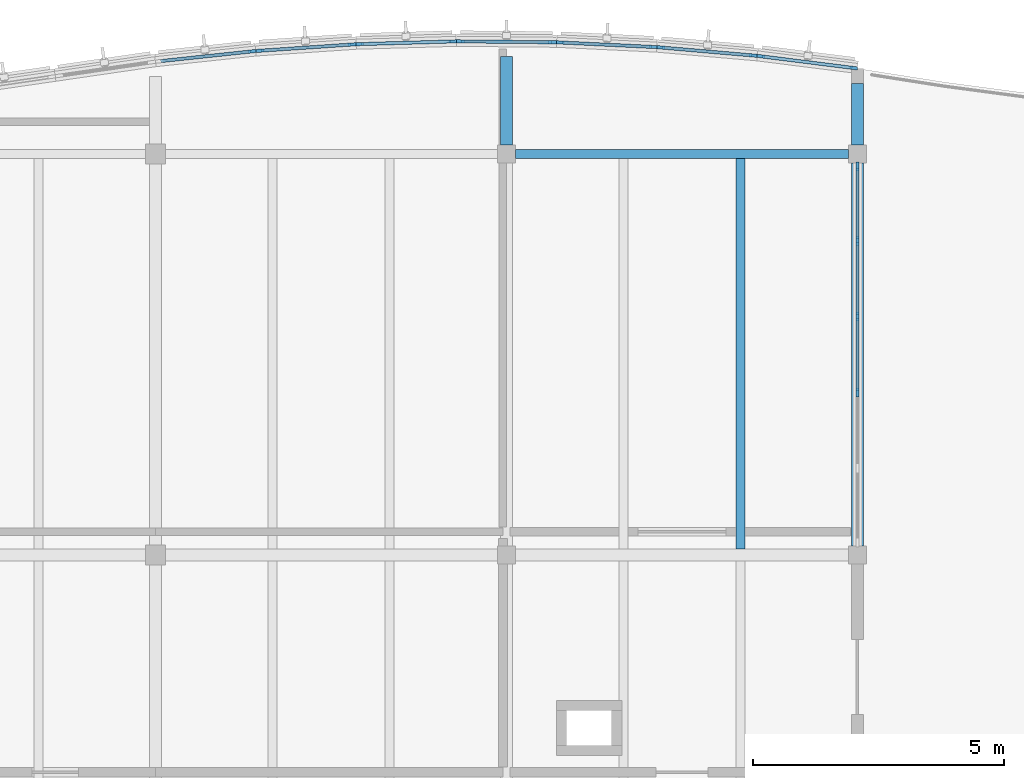
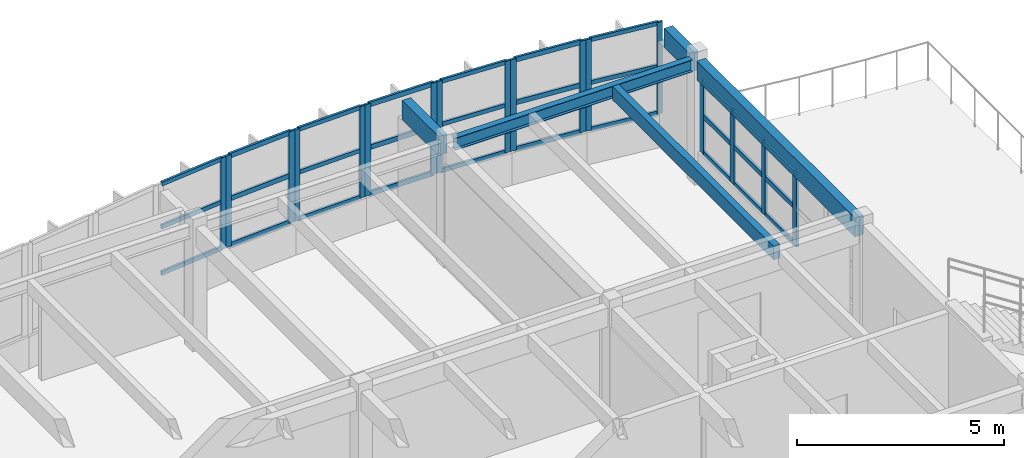
# One storey, part 20 of 52: 47 members, 5 beams, 8 elements without a shape of their own.
"""IFC4 building model written with IfcOpenShell, lengths in metres."""

from ifc_helpers import new_model, si_unit, direction, frame, origin, origin_2d, place, context, subcontext, project, spatial, rectangle, i_section, extrude, material, layer, layer_set, material_profile, profile_set, type_object, element, aggregate, save


model = new_model("IFC4")

# Units and contexts
model_context = context("Model", 3, precision=1e-05, world=origin(), true_north=direction((0.0, 1.0)))
body_context = subcontext(model_context, "Body", "Model", "MODEL_VIEW")
ifc_project = project(units=[si_unit("LENGTHUNIT", "METRE"), si_unit("AREAUNIT", "SQUARE_METRE"), si_unit("VOLUMEUNIT", "CUBIC_METRE"), si_unit("PLANEANGLEUNIT", "RADIAN"), si_unit("MASSUNIT", "GRAM", prefix="KILO")], contexts=[model_context])

# Site, building, storey
site_placement = place(None, origin())
site = spatial("IfcSite", under=ifc_project, at=site_placement, CompositionType="ELEMENT")
building_placement = place(site_placement, origin())
building = spatial("IfcBuilding", under=site, at=building_placement, Name="Tonlespit Floodbar School", CompositionType="ELEMENT")
storey_placement = place(building_placement, frame((0.0, 0.0, 12.300048828125)))
storey = spatial("IfcBuildingStorey", under=building, at=storey_placement, Name="L03", CompositionType="ELEMENT", Elevation=12.300048828125)

# Beams
ifc_material_1 = material(Name="Glulam GL28h", Category="wood")
ifc_material_profile_1 = material_profile(ifc_material_1, rectangle(XDim=0.239990234375, YDim=0.56005859375, at=origin_2d()), Name="GL 240x560")
ifc_profile_set_1 = profile_set([ifc_material_profile_1], Name="Glulam GL28h")
beam_type_1 = type_object("IfcBeamType", Name="Beam_GL_240x560", PredefinedType="BEAM", material=ifc_profile_set_1)
beam_1_placement = place(storey_placement, frame((162.0, 112.179931640625, 3.367919921875), z_axis=(0.0, 1.0, 0.0), x_axis=(-1.0, 0.0, 0.0)))
element("IfcBeam", 1, at=beam_1_placement, inside=storey, type_object=beam_type_1, Name="L03 girder 1242", PredefinedType="BEAM", context=body_context, shape_type="SweptSolid", body=[
    extrude(rectangle(XDim=0.239990234375, YDim=0.56005859375, at=origin_2d()), origin(), (0.0, 0.0, 1.0), 7.64013671875),
])
beam_2_placement = place(storey_placement, frame((155.0, 120.179931640625, 3.367919921875), z_axis=(0.0, 1.0, 0.0), x_axis=(-1.0, 0.0, 0.0)))
element("IfcBeam", 2, at=beam_2_placement, inside=storey, type_object=beam_type_1, Name="L03 north street wave cantilever bracket", PredefinedType="BEAM", context=body_context, shape_type="SweptSolid", body=[
    extrude(rectangle(XDim=0.239990234375, YDim=0.56005859375, at=origin_2d()), origin(), (0.0, 0.0, 1.0), 1.76708984375),
])
beam_3_placement = place(storey_placement, frame((162.0, 120.179931640625, 3.367919921875), z_axis=(0.0, 1.0, 0.0), x_axis=(-1.0, 0.0, 0.0)))
element("IfcBeam", 3, at=beam_3_placement, inside=storey, type_object=beam_type_1, Name="L03 north street wave cantilever bracket", PredefinedType="BEAM", context=body_context, shape_type="SweptSolid", body=[
    extrude(rectangle(XDim=0.239990234375, YDim=0.56005859375, at=origin_2d()), origin(), (0.0, 0.0, 1.0), 1.225830078125),
])

# Curtain wall, member
ifc_material_2 = material(Name="Anodised Aluminium", Category="aluminium")
ifc_layer_1 = layer(ifc_material_2, 0.159912109375)
ifc_layer_set_1 = layer_set([ifc_layer_1], Name="Anodised Aluminium")
curtain_wall_type_1 = type_object("IfcCurtainWallType", Name="CurtainWall_1950x2700", PredefinedType="NOTDEFINED", material=ifc_layer_set_1)
curtain_wall_1_placement = place(storey_placement, origin())
curtain_wall_1 = element("IfcCurtainWall", 4, at=curtain_wall_1_placement, inside=storey, type_object=curtain_wall_type_1, Name="L03 unitised curtain wall 0462", PredefinedType="NOTDEFINED")
ifc_material_profile_2 = material_profile(ifc_material_2, rectangle(XDim=0.06494140625, YDim=0.14990234375, at=origin_2d()), Name="ALU M65x150")
ifc_profile_set_2 = profile_set([ifc_material_profile_2], Name="Anodised Aluminium")
member_type_1 = type_object("IfcMemberType", Name="CW_Mullion_65x150", PredefinedType="MULLION", material=ifc_profile_set_2)
member_1_placement = place(storey_placement, frame((149.927978515625, 122.046630859375, 0.949951171875), z_axis=(0.0, 0.0, 1.0), x_axis=(-0.105787143968, 0.994388797288, 0.0)))
member_1 = element("IfcMember", 5, at=member_1_placement, type_object=member_type_1, Name="CW-04 mullion 2", PredefinedType="MULLION", context=body_context, shape_type="SweptSolid", body=[
    extrude(rectangle(XDim=0.06494140625, YDim=0.14990234375, at=origin_2d()), origin(), (0.0, 0.0, 1.0), 2.699951171875),
])

# Curtain wall, members
ifc_layer_2 = layer(ifc_material_2, 0.159912109375)
ifc_layer_set_2 = layer_set([ifc_layer_2], Name="Anodised Aluminium")
curtain_wall_type_2 = type_object("IfcCurtainWallType", Name="CurtainWall_1900x2700", PredefinedType="NOTDEFINED", material=ifc_layer_set_2)
curtain_wall_2_placement = place(storey_placement, origin())
curtain_wall_2 = element("IfcCurtainWall", 6, at=curtain_wall_2_placement, inside=storey, type_object=curtain_wall_type_2, Name="L03 unitised curtain wall 0464", PredefinedType="NOTDEFINED")
member_2_placement = place(storey_placement, frame((152.072509765625, 122.19140625, 0.949951171875), z_axis=(0.0, 0.0, 1.0), x_axis=(-0.028790144226, 0.999585477883, 0.0)))
member_2 = element("IfcMember", 7, at=member_2_placement, type_object=member_type_1, Name="CW-05 mullion 1", PredefinedType="MULLION", context=body_context, shape_type="SweptSolid", body=[
    extrude(rectangle(XDim=0.06494140625, YDim=0.14990234375, at=origin_2d()), origin(), (0.0, 0.0, 1.0), 2.699951171875),
])
member_3_placement = place(storey_placement, frame((153.927490234375, 122.244873046875, 0.949951171875), z_axis=(0.0, 0.0, 1.0), x_axis=(-0.028790144226, 0.999585477883, 0.0)))
member_3 = element("IfcMember", 8, at=member_3_placement, type_object=member_type_1, Name="CW-05 mullion 2", PredefinedType="MULLION", context=body_context, shape_type="SweptSolid", body=[
    extrude(rectangle(XDim=0.06494140625, YDim=0.14990234375, at=origin_2d()), origin(), (0.0, 0.0, 1.0), 2.699951171875),
])

curtain_wall_3_placement = place(storey_placement, origin())
curtain_wall_3 = element("IfcCurtainWall", 9, at=curtain_wall_3_placement, inside=storey, type_object=curtain_wall_type_2, Name="L03 unitised curtain wall 0466", PredefinedType="NOTDEFINED")
member_4_placement = place(storey_placement, frame((156.072509765625, 122.224365234375, 0.949951171875), z_axis=(0.0, 0.0, 1.0), x_axis=(0.048121270216, 0.998841500616, 0.0)))
member_4 = element("IfcMember", 10, at=member_4_placement, type_object=member_type_1, Name="CW-05 mullion 1", PredefinedType="MULLION", context=body_context, shape_type="SweptSolid", body=[
    extrude(rectangle(XDim=0.06494140625, YDim=0.14990234375, at=origin_2d()), origin(), (0.0, 0.0, 1.0), 2.699951171875),
])
member_5_placement = place(storey_placement, frame((157.927490234375, 122.135009765625, 0.949951171875), z_axis=(0.0, 0.0, 1.0), x_axis=(0.048121270216, 0.998841500616, 0.0)))
member_5 = element("IfcMember", 11, at=member_5_placement, type_object=member_type_1, Name="CW-05 mullion 2", PredefinedType="MULLION", context=body_context, shape_type="SweptSolid", body=[
    extrude(rectangle(XDim=0.06494140625, YDim=0.14990234375, at=origin_2d()), origin(), (0.0, 0.0, 1.0), 2.699951171875),
])

curtain_wall_4_placement = place(storey_placement, origin())
curtain_wall_4 = element("IfcCurtainWall", 12, at=curtain_wall_4_placement, inside=storey, type_object=curtain_wall_type_1, Name="L03 unitised curtain wall 0468", PredefinedType="NOTDEFINED")
member_6_placement = place(storey_placement, frame((160.072021484375, 121.94873046875, 0.949951171875), z_axis=(0.0, 0.0, 1.0), x_axis=(0.125013803299, 0.992155002499, 0.0)))
member_6 = element("IfcMember", 13, at=member_6_placement, type_object=member_type_1, Name="CW-04 mullion 1", PredefinedType="MULLION", context=body_context, shape_type="SweptSolid", body=[
    extrude(rectangle(XDim=0.06494140625, YDim=0.14990234375, at=origin_2d()), origin(), (0.0, 0.0, 1.0), 2.699951171875),
])
member_7_placement = place(storey_placement, frame((161.927978515625, 121.71484375, 0.949951171875), z_axis=(0.0, 0.0, 1.0), x_axis=(0.125013803299, 0.992155002499, 0.0)))
member_7 = element("IfcMember", 14, at=member_7_placement, type_object=member_type_1, Name="CW-04 mullion 2", PredefinedType="MULLION", context=body_context, shape_type="SweptSolid", body=[
    extrude(rectangle(XDim=0.06494140625, YDim=0.14990234375, at=origin_2d()), origin(), (0.0, 0.0, 1.0), 2.699951171875),
])

curtain_wall_5_placement = place(storey_placement, origin())
curtain_wall_5 = element("IfcCurtainWall", 15, at=curtain_wall_5_placement, inside=storey, type_object=curtain_wall_type_2, Name="L03 unitised curtain wall 0463", PredefinedType="NOTDEFINED")
ifc_material_profile_3 = material_profile(ifc_material_2, rectangle(XDim=0.06494140625, YDim=0.179931640625, at=origin_2d()), Name="ALU M65x180")
ifc_profile_set_3 = profile_set([ifc_material_profile_3], Name="Anodised Aluminium")
member_type_2 = type_object("IfcMemberType", Name="CW_Mullion_65x180", PredefinedType="MULLION", material=ifc_profile_set_3)
member_8_placement = place(storey_placement, frame((150.072265625, 122.05908203125, 0.949951171875), z_axis=(0.0, 0.0, 1.0), x_axis=(-0.067339767311, 0.99773010165, 0.0)))
member_8 = element("IfcMember", 16, at=member_8_placement, type_object=member_type_2, Name="CW-05 mullion 1", PredefinedType="MULLION", context=body_context, shape_type="SweptSolid", body=[
    extrude(rectangle(XDim=0.06494140625, YDim=0.179931640625, at=origin_2d()), origin(), (0.0, 0.0, 1.0), 2.699951171875),
])
member_9_placement = place(storey_placement, frame((151.927734375, 122.184326171875, 0.949951171875), z_axis=(0.0, 0.0, 1.0), x_axis=(-0.067339767311, 0.99773010165, 0.0)))
member_9 = element("IfcMember", 17, at=member_9_placement, type_object=member_type_2, Name="CW-05 mullion 2", PredefinedType="MULLION", context=body_context, shape_type="SweptSolid", body=[
    extrude(rectangle(XDim=0.06494140625, YDim=0.179931640625, at=origin_2d()), origin(), (0.0, 0.0, 1.0), 2.699951171875),
])

curtain_wall_6_placement = place(storey_placement, origin())
curtain_wall_6 = element("IfcCurtainWall", 18, at=curtain_wall_6_placement, inside=storey, type_object=curtain_wall_type_2, Name="L03 unitised curtain wall 0465", PredefinedType="NOTDEFINED")
member_10_placement = place(storey_placement, frame((154.072509765625, 122.246337890625, 0.949951171875), z_axis=(0.0, 0.0, 1.0), x_axis=(0.009582893292, 0.999954083024, 0.0)))
member_10 = element("IfcMember", 19, at=member_10_placement, type_object=member_type_2, Name="CW-05 mullion 1", PredefinedType="MULLION", context=body_context, shape_type="SweptSolid", body=[
    extrude(rectangle(XDim=0.06494140625, YDim=0.179931640625, at=origin_2d()), origin(), (0.0, 0.0, 1.0), 2.699951171875),
])
member_11_placement = place(storey_placement, frame((155.927490234375, 122.228515625, 0.949951171875), z_axis=(0.0, 0.0, 1.0), x_axis=(0.009582893292, 0.999954083024, 0.0)))
member_11 = element("IfcMember", 20, at=member_11_placement, type_object=member_type_2, Name="CW-05 mullion 2", PredefinedType="MULLION", context=body_context, shape_type="SweptSolid", body=[
    extrude(rectangle(XDim=0.06494140625, YDim=0.179931640625, at=origin_2d()), origin(), (0.0, 0.0, 1.0), 2.699951171875),
])

curtain_wall_7_placement = place(storey_placement, origin())
curtain_wall_7 = element("IfcCurtainWall", 21, at=curtain_wall_7_placement, inside=storey, type_object=curtain_wall_type_1, Name="L03 unitised curtain wall 0467", PredefinedType="NOTDEFINED")
member_12_placement = place(storey_placement, frame((158.072265625, 122.125244140625, 0.949951171875), z_axis=(0.0, 0.0, 1.0), x_axis=(0.086531117454, 0.996249148412, 0.0)))
member_12 = element("IfcMember", 22, at=member_12_placement, type_object=member_type_2, Name="CW-04 mullion 1", PredefinedType="MULLION", context=body_context, shape_type="SweptSolid", body=[
    extrude(rectangle(XDim=0.06494140625, YDim=0.179931640625, at=origin_2d()), origin(), (0.0, 0.0, 1.0), 2.699951171875),
])
member_13_placement = place(storey_placement, frame((159.927734375, 121.964111328125, 0.949951171875), z_axis=(0.0, 0.0, 1.0), x_axis=(0.086531117454, 0.996249148412, 0.0)))
member_13 = element("IfcMember", 23, at=member_13_placement, type_object=member_type_2, Name="CW-04 mullion 2", PredefinedType="MULLION", context=body_context, shape_type="SweptSolid", body=[
    extrude(rectangle(XDim=0.06494140625, YDim=0.179931640625, at=origin_2d()), origin(), (0.0, 0.0, 1.0), 2.699951171875),
])

ifc_layer_3 = layer(ifc_material_2, 0.159912109375)
ifc_layer_set_3 = layer_set([ifc_layer_3], Name="Anodised Aluminium")
curtain_wall_type_3 = type_object("IfcCurtainWallType", Name="CurtainWall_7550x2150", PredefinedType="NOTDEFINED", material=ifc_layer_set_3)
curtain_wall_8_placement = place(storey_placement, origin())
curtain_wall_8 = element("IfcCurtainWall", 24, at=curtain_wall_8_placement, inside=storey, type_object=curtain_wall_type_3, Name="L03 unitised curtain wall 0469", PredefinedType="NOTDEFINED")
member_14_placement = place(storey_placement, frame((162.0, 119.74755859375, 0.949951171875), z_axis=(0.0, 0.0, 1.0), x_axis=(1.0, 0.0, 0.0)))
member_14 = element("IfcMember", 25, at=member_14_placement, type_object=member_type_2, Name="CW-37 mullion 1", PredefinedType="MULLION", context=body_context, shape_type="SweptSolid", body=[
    extrude(rectangle(XDim=0.06494140625, YDim=0.179931640625, at=origin_2d()), origin(), (0.0, 0.0, 1.0), 2.137939453125),
])
member_15_placement = place(storey_placement, frame((162.0, 118.26806640625, 0.949951171875), z_axis=(0.0, 0.0, 1.0), x_axis=(1.0, 0.0, 0.0)))
member_15 = element("IfcMember", 26, at=member_15_placement, type_object=member_type_2, Name="CW-37 mullion 2", PredefinedType="MULLION", context=body_context, shape_type="SweptSolid", body=[
    extrude(rectangle(XDim=0.06494140625, YDim=0.179931640625, at=origin_2d()), origin(), (0.0, 0.0, 1.0), 2.137939453125),
])
member_16_placement = place(storey_placement, frame((162.0, 116.756103515625, 0.949951171875), z_axis=(0.0, 0.0, 1.0), x_axis=(1.0, 0.0, 0.0)))
member_16 = element("IfcMember", 27, at=member_16_placement, type_object=member_type_2, Name="CW-37 mullion 3", PredefinedType="MULLION", context=body_context, shape_type="SweptSolid", body=[
    extrude(rectangle(XDim=0.06494140625, YDim=0.179931640625, at=origin_2d()), origin(), (0.0, 0.0, 1.0), 2.137939453125),
])
member_17_placement = place(storey_placement, frame((162.0, 115.243896484375, 0.949951171875), z_axis=(0.0, 0.0, 1.0), x_axis=(1.0, 0.0, 0.0)))
member_17 = element("IfcMember", 28, at=member_17_placement, type_object=member_type_2, Name="CW-37 mullion 4", PredefinedType="MULLION", context=body_context, shape_type="SweptSolid", body=[
    extrude(rectangle(XDim=0.06494140625, YDim=0.179931640625, at=origin_2d()), origin(), (0.0, 0.0, 1.0), 2.137939453125),
])

# Member
ifc_material_profile_4 = material_profile(ifc_material_2, rectangle(XDim=0.06494140625, YDim=0.1201171875, at=origin_2d()), Name="ALU T65x120")
ifc_profile_set_4 = profile_set([ifc_material_profile_4], Name="Anodised Aluminium")
member_type_3 = type_object("IfcMemberType", Name="CW_Transom_65x120", PredefinedType="USERDEFINED", material=ifc_profile_set_4)
member_18_placement = place(storey_placement, frame((148.1044921875, 121.852783203125, 0.982421875), z_axis=(0.994394979136, 0.105729019047, 0.0), x_axis=(-0.105729019047, 0.994394979136, 0.0)))
member_18 = element("IfcMember", 29, at=member_18_placement, type_object=member_type_3, Name="CW-04 transom 1.1", ObjectType="TRANSOM", PredefinedType="USERDEFINED", context=body_context, shape_type="SweptSolid", body=[
    extrude(rectangle(XDim=0.06494140625, YDim=0.1201171875, at=origin_2d()), origin(), (0.0, 0.0, 1.0), 1.801025390625),
])

member_19_placement = place(storey_placement, frame((148.1044921875, 121.852783203125, 2.35400390625), z_axis=(0.994394979136, 0.105729019047, 0.0), x_axis=(-0.105729019047, 0.994394979136, 0.0)))
member_19 = element("IfcMember", 30, at=member_19_placement, type_object=member_type_3, Name="CW-04 transom 1.2", ObjectType="TRANSOM", PredefinedType="USERDEFINED", context=body_context, shape_type="SweptSolid", body=[
    extrude(rectangle(XDim=0.06494140625, YDim=0.1201171875, at=origin_2d()), origin(), (0.0, 0.0, 1.0), 1.801025390625),
])

member_20_placement = place(storey_placement, frame((148.1044921875, 121.852783203125, 3.617431640625), z_axis=(0.994394979136, 0.105729019047, 0.0), x_axis=(-0.105729019047, 0.994394979136, 0.0)))
member_20 = element("IfcMember", 31, at=member_20_placement, type_object=member_type_3, Name="CW-04 transom 1.3", ObjectType="TRANSOM", PredefinedType="USERDEFINED", context=body_context, shape_type="SweptSolid", body=[
    extrude(rectangle(XDim=0.06494140625, YDim=0.1201171875, at=origin_2d()), origin(), (0.0, 0.0, 1.0), 1.801025390625),
])

aggregate(curtain_wall_1, [member_1, member_18, member_19, member_20])

member_21_placement = place(storey_placement, frame((152.10498046875, 122.1923828125, 0.982421875), z_axis=(0.999586171543, 0.02876605049, 0.0), x_axis=(-0.02876605049, 0.999586171543, 0.0)))
member_21 = element("IfcMember", 32, at=member_21_placement, type_object=member_type_3, Name="CW-05 transom 1.1", ObjectType="TRANSOM", PredefinedType="USERDEFINED", context=body_context, shape_type="SweptSolid", body=[
    extrude(rectangle(XDim=0.06494140625, YDim=0.1201171875, at=origin_2d()), origin(), (0.0, 0.0, 1.0), 1.790771484375),
])

member_22_placement = place(storey_placement, frame((152.10498046875, 122.1923828125, 2.35400390625), z_axis=(0.999586171543, 0.02876605049, 0.0), x_axis=(-0.02876605049, 0.999586171543, 0.0)))
member_22 = element("IfcMember", 33, at=member_22_placement, type_object=member_type_3, Name="CW-05 transom 1.2", ObjectType="TRANSOM", PredefinedType="USERDEFINED", context=body_context, shape_type="SweptSolid", body=[
    extrude(rectangle(XDim=0.06494140625, YDim=0.1201171875, at=origin_2d()), origin(), (0.0, 0.0, 1.0), 1.790771484375),
])

member_23_placement = place(storey_placement, frame((152.10498046875, 122.1923828125, 3.617431640625), z_axis=(0.999586171543, 0.02876605049, 0.0), x_axis=(-0.02876605049, 0.999586171543, 0.0)))
member_23 = element("IfcMember", 34, at=member_23_placement, type_object=member_type_3, Name="CW-05 transom 1.3", ObjectType="TRANSOM", PredefinedType="USERDEFINED", context=body_context, shape_type="SweptSolid", body=[
    extrude(rectangle(XDim=0.06494140625, YDim=0.1201171875, at=origin_2d()), origin(), (0.0, 0.0, 1.0), 1.790771484375),
])

aggregate(curtain_wall_2, [member_2, member_3, member_21, member_22, member_23])

member_24_placement = place(storey_placement, frame((156.10498046875, 122.22265625, 0.982421875), z_axis=(0.998843034795, -0.048089415069, 0.0), x_axis=(0.048089415069, 0.998843034795, 0.0)))
member_24 = element("IfcMember", 35, at=member_24_placement, type_object=member_type_3, Name="CW-05 transom 1.1", ObjectType="TRANSOM", PredefinedType="USERDEFINED", context=body_context, shape_type="SweptSolid", body=[
    extrude(rectangle(XDim=0.06494140625, YDim=0.1201171875, at=origin_2d()), origin(), (0.0, 0.0, 1.0), 1.7919921875),
])

member_25_placement = place(storey_placement, frame((156.10498046875, 122.22265625, 2.35400390625), z_axis=(0.998843034795, -0.048089415069, 0.0), x_axis=(0.048089415069, 0.998843034795, 0.0)))
member_25 = element("IfcMember", 36, at=member_25_placement, type_object=member_type_3, Name="CW-05 transom 1.2", ObjectType="TRANSOM", PredefinedType="USERDEFINED", context=body_context, shape_type="SweptSolid", body=[
    extrude(rectangle(XDim=0.06494140625, YDim=0.1201171875, at=origin_2d()), origin(), (0.0, 0.0, 1.0), 1.7919921875),
])

member_26_placement = place(storey_placement, frame((156.10498046875, 122.22265625, 3.617431640625), z_axis=(0.998843034795, -0.048089415069, 0.0), x_axis=(0.048089415069, 0.998843034795, 0.0)))
member_26 = element("IfcMember", 37, at=member_26_placement, type_object=member_type_3, Name="CW-05 transom 1.3", ObjectType="TRANSOM", PredefinedType="USERDEFINED", context=body_context, shape_type="SweptSolid", body=[
    extrude(rectangle(XDim=0.06494140625, YDim=0.1201171875, at=origin_2d()), origin(), (0.0, 0.0, 1.0), 1.7919921875),
])

aggregate(curtain_wall_3, [member_4, member_5, member_24, member_25, member_26])

member_27_placement = place(storey_placement, frame((160.104248046875, 121.944580078125, 0.982421875), z_axis=(0.992148373735, -0.125066400341, 0.0), x_axis=(0.125066400341, 0.992148373735, 0.0)))
member_27 = element("IfcMember", 38, at=member_27_placement, type_object=member_type_3, Name="CW-04 transom 1.1", ObjectType="TRANSOM", PredefinedType="USERDEFINED", context=body_context, shape_type="SweptSolid", body=[
    extrude(rectangle(XDim=0.06494140625, YDim=0.1201171875, at=origin_2d()), origin(), (0.0, 0.0, 1.0), 1.8056640625),
])

member_28_placement = place(storey_placement, frame((160.104248046875, 121.944580078125, 2.35400390625), z_axis=(0.992148373735, -0.125066400341, 0.0), x_axis=(0.125066400341, 0.992148373735, 0.0)))
member_28 = element("IfcMember", 39, at=member_28_placement, type_object=member_type_3, Name="CW-04 transom 1.2", ObjectType="TRANSOM", PredefinedType="USERDEFINED", context=body_context, shape_type="SweptSolid", body=[
    extrude(rectangle(XDim=0.06494140625, YDim=0.1201171875, at=origin_2d()), origin(), (0.0, 0.0, 1.0), 1.8056640625),
])

member_29_placement = place(storey_placement, frame((160.104248046875, 121.944580078125, 3.617431640625), z_axis=(0.992148373735, -0.125066400341, 0.0), x_axis=(0.125066400341, 0.992148373735, 0.0)))
member_29 = element("IfcMember", 40, at=member_29_placement, type_object=member_type_3, Name="CW-04 transom 1.3", ObjectType="TRANSOM", PredefinedType="USERDEFINED", context=body_context, shape_type="SweptSolid", body=[
    extrude(rectangle(XDim=0.06494140625, YDim=0.1201171875, at=origin_2d()), origin(), (0.0, 0.0, 1.0), 1.8056640625),
])

aggregate(curtain_wall_4, [member_6, member_7, member_27, member_28, member_29])

ifc_material_profile_5 = material_profile(ifc_material_2, rectangle(XDim=0.06494140625, YDim=0.139892578125, at=origin_2d()), Name="ALU T65x140")
ifc_profile_set_5 = profile_set([ifc_material_profile_5], Name="Anodised Aluminium")
member_type_4 = type_object("IfcMemberType", Name="CW_Transom_65x140", PredefinedType="USERDEFINED", material=ifc_profile_set_5)
member_30_placement = place(storey_placement, frame((150.104736328125, 122.061279296875, 0.982421875), z_axis=(0.997730041674, 0.067340655935, 0.0), x_axis=(-0.067340655935, 0.997730041674, 0.0)))
member_30 = element("IfcMember", 41, at=member_30_placement, type_object=member_type_4, Name="CW-05 transom 1.1", ObjectType="TRANSOM", PredefinedType="USERDEFINED", context=body_context, shape_type="SweptSolid", body=[
    extrude(rectangle(XDim=0.06494140625, YDim=0.139892578125, at=origin_2d()), origin(), (0.0, 0.0, 1.0), 1.794677734375),
])

member_31_placement = place(storey_placement, frame((150.104736328125, 122.061279296875, 2.35400390625), z_axis=(0.997730041674, 0.067340655935, 0.0), x_axis=(-0.067340655935, 0.997730041674, 0.0)))
member_31 = element("IfcMember", 42, at=member_31_placement, type_object=member_type_4, Name="CW-05 transom 1.2", ObjectType="TRANSOM", PredefinedType="USERDEFINED", context=body_context, shape_type="SweptSolid", body=[
    extrude(rectangle(XDim=0.06494140625, YDim=0.139892578125, at=origin_2d()), origin(), (0.0, 0.0, 1.0), 1.794677734375),
])

member_32_placement = place(storey_placement, frame((150.104736328125, 122.061279296875, 3.617431640625), z_axis=(0.997730041674, 0.067340655935, 0.0), x_axis=(-0.067340655935, 0.997730041674, 0.0)))
member_32 = element("IfcMember", 43, at=member_32_placement, type_object=member_type_4, Name="CW-05 transom 1.3", ObjectType="TRANSOM", PredefinedType="USERDEFINED", context=body_context, shape_type="SweptSolid", body=[
    extrude(rectangle(XDim=0.06494140625, YDim=0.139892578125, at=origin_2d()), origin(), (0.0, 0.0, 1.0), 1.794677734375),
])

aggregate(curtain_wall_5, [member_8, member_9, member_30, member_31, member_32])

member_33_placement = place(storey_placement, frame((154.10498046875, 122.24609375, 0.982421875), z_axis=(0.999953117448, -0.009683124842, 0.0), x_axis=(0.009683124842, 0.999953117448, 0.0)))
member_33 = element("IfcMember", 44, at=member_33_placement, type_object=member_type_4, Name="CW-05 transom 1.1", ObjectType="TRANSOM", PredefinedType="USERDEFINED", context=body_context, shape_type="SweptSolid", body=[
    extrude(rectangle(XDim=0.06494140625, YDim=0.139892578125, at=origin_2d()), origin(), (0.0, 0.0, 1.0), 1.7900390625),
])

member_34_placement = place(storey_placement, frame((154.10498046875, 122.24609375, 2.35400390625), z_axis=(0.999953117448, -0.009683124842, 0.0), x_axis=(0.009683124842, 0.999953117448, 0.0)))
member_34 = element("IfcMember", 45, at=member_34_placement, type_object=member_type_4, Name="CW-05 transom 1.2", ObjectType="TRANSOM", PredefinedType="USERDEFINED", context=body_context, shape_type="SweptSolid", body=[
    extrude(rectangle(XDim=0.06494140625, YDim=0.139892578125, at=origin_2d()), origin(), (0.0, 0.0, 1.0), 1.7900390625),
])

member_35_placement = place(storey_placement, frame((154.10498046875, 122.24609375, 3.617431640625), z_axis=(0.999953117448, -0.009683124842, 0.0), x_axis=(0.009683124842, 0.999953117448, 0.0)))
member_35 = element("IfcMember", 46, at=member_35_placement, type_object=member_type_4, Name="CW-05 transom 1.3", ObjectType="TRANSOM", PredefinedType="USERDEFINED", context=body_context, shape_type="SweptSolid", body=[
    extrude(rectangle(XDim=0.06494140625, YDim=0.139892578125, at=origin_2d()), origin(), (0.0, 0.0, 1.0), 1.7900390625),
])

aggregate(curtain_wall_6, [member_10, member_11, member_33, member_34, member_35])

member_36_placement = place(storey_placement, frame((158.1044921875, 122.122314453125, 0.982421875), z_axis=(0.996251281774, -0.086506552139, 0.0), x_axis=(0.086506552139, 0.996251281774, 0.0)))
member_36 = element("IfcMember", 47, at=member_36_placement, type_object=member_type_4, Name="CW-04 transom 1.1", ObjectType="TRANSOM", PredefinedType="USERDEFINED", context=body_context, shape_type="SweptSolid", body=[
    extrude(rectangle(XDim=0.06494140625, YDim=0.139892578125, at=origin_2d()), origin(), (0.0, 0.0, 1.0), 1.7978515625),
])

member_37_placement = place(storey_placement, frame((158.1044921875, 122.122314453125, 2.35400390625), z_axis=(0.996251281774, -0.086506552139, 0.0), x_axis=(0.086506552139, 0.996251281774, 0.0)))
member_37 = element("IfcMember", 48, at=member_37_placement, type_object=member_type_4, Name="CW-04 transom 1.2", ObjectType="TRANSOM", PredefinedType="USERDEFINED", context=body_context, shape_type="SweptSolid", body=[
    extrude(rectangle(XDim=0.06494140625, YDim=0.139892578125, at=origin_2d()), origin(), (0.0, 0.0, 1.0), 1.7978515625),
])

member_38_placement = place(storey_placement, frame((158.1044921875, 122.122314453125, 3.617431640625), z_axis=(0.996251281774, -0.086506552139, 0.0), x_axis=(0.086506552139, 0.996251281774, 0.0)))
member_38 = element("IfcMember", 49, at=member_38_placement, type_object=member_type_4, Name="CW-04 transom 1.3", ObjectType="TRANSOM", PredefinedType="USERDEFINED", context=body_context, shape_type="SweptSolid", body=[
    extrude(rectangle(XDim=0.06494140625, YDim=0.139892578125, at=origin_2d()), origin(), (0.0, 0.0, 1.0), 1.7978515625),
])

aggregate(curtain_wall_7, [member_12, member_13, member_36, member_37, member_38])

member_39_placement = place(storey_placement, frame((162.0, 119.715087890625, 0.982421875), z_axis=(0.0, -1.0, 0.0), x_axis=(1.0, 0.0, 0.0)))
member_39 = element("IfcMember", 50, at=member_39_placement, type_object=member_type_4, Name="CW-37 transom 1.1", ObjectType="TRANSOM", PredefinedType="USERDEFINED", context=body_context, shape_type="SweptSolid", body=[
    extrude(rectangle(XDim=0.06494140625, YDim=0.139892578125, at=origin_2d()), origin(), (0.0, 0.0, 1.0), 1.41455078125),
])

member_40_placement = place(storey_placement, frame((162.0, 119.715087890625, 2.061767578125), z_axis=(0.0, -1.0, 0.0), x_axis=(1.0, 0.0, 0.0)))
member_40 = element("IfcMember", 51, at=member_40_placement, type_object=member_type_4, Name="CW-37 transom 1.2", ObjectType="TRANSOM", PredefinedType="USERDEFINED", context=body_context, shape_type="SweptSolid", body=[
    extrude(rectangle(XDim=0.06494140625, YDim=0.139892578125, at=origin_2d()), origin(), (0.0, 0.0, 1.0), 1.41455078125),
])

member_41_placement = place(storey_placement, frame((162.0, 119.715087890625, 3.055419921875), z_axis=(0.0, -1.0, 0.0), x_axis=(1.0, 0.0, 0.0)))
member_41 = element("IfcMember", 52, at=member_41_placement, type_object=member_type_4, Name="CW-37 transom 1.3", ObjectType="TRANSOM", PredefinedType="USERDEFINED", context=body_context, shape_type="SweptSolid", body=[
    extrude(rectangle(XDim=0.06494140625, YDim=0.139892578125, at=origin_2d()), origin(), (0.0, 0.0, 1.0), 1.41455078125),
])

member_42_placement = place(storey_placement, frame((162.0, 118.235595703125, 0.982421875), z_axis=(0.0, -1.0, 0.0), x_axis=(1.0, 0.0, 0.0)))
member_42 = element("IfcMember", 53, at=member_42_placement, type_object=member_type_4, Name="CW-37 transom 2.1", ObjectType="TRANSOM", PredefinedType="USERDEFINED", context=body_context, shape_type="SweptSolid", body=[
    extrude(rectangle(XDim=0.06494140625, YDim=0.139892578125, at=origin_2d()), origin(), (0.0, 0.0, 1.0), 1.447021484375),
])

member_43_placement = place(storey_placement, frame((162.0, 118.235595703125, 2.061767578125), z_axis=(0.0, -1.0, 0.0), x_axis=(1.0, 0.0, 0.0)))
member_43 = element("IfcMember", 54, at=member_43_placement, type_object=member_type_4, Name="CW-37 transom 2.2", ObjectType="TRANSOM", PredefinedType="USERDEFINED", context=body_context, shape_type="SweptSolid", body=[
    extrude(rectangle(XDim=0.06494140625, YDim=0.139892578125, at=origin_2d()), origin(), (0.0, 0.0, 1.0), 1.447021484375),
])

member_44_placement = place(storey_placement, frame((162.0, 118.235595703125, 3.055419921875), z_axis=(0.0, -1.0, 0.0), x_axis=(1.0, 0.0, 0.0)))
member_44 = element("IfcMember", 55, at=member_44_placement, type_object=member_type_4, Name="CW-37 transom 2.3", ObjectType="TRANSOM", PredefinedType="USERDEFINED", context=body_context, shape_type="SweptSolid", body=[
    extrude(rectangle(XDim=0.06494140625, YDim=0.139892578125, at=origin_2d()), origin(), (0.0, 0.0, 1.0), 1.447021484375),
])

member_45_placement = place(storey_placement, frame((162.0, 116.723388671875, 0.982421875), z_axis=(0.0, -1.0, 0.0), x_axis=(1.0, 0.0, 0.0)))
member_45 = element("IfcMember", 56, at=member_45_placement, type_object=member_type_4, Name="CW-37 transom 3.1", ObjectType="TRANSOM", PredefinedType="USERDEFINED", context=body_context, shape_type="SweptSolid", body=[
    extrude(rectangle(XDim=0.06494140625, YDim=0.139892578125, at=origin_2d()), origin(), (0.0, 0.0, 1.0), 1.44677734375),
])

member_46_placement = place(storey_placement, frame((162.0, 116.723388671875, 2.061767578125), z_axis=(0.0, -1.0, 0.0), x_axis=(1.0, 0.0, 0.0)))
member_46 = element("IfcMember", 57, at=member_46_placement, type_object=member_type_4, Name="CW-37 transom 3.2", ObjectType="TRANSOM", PredefinedType="USERDEFINED", context=body_context, shape_type="SweptSolid", body=[
    extrude(rectangle(XDim=0.06494140625, YDim=0.139892578125, at=origin_2d()), origin(), (0.0, 0.0, 1.0), 1.44677734375),
])

member_47_placement = place(storey_placement, frame((162.0, 116.723388671875, 3.055419921875), z_axis=(0.0, -1.0, 0.0), x_axis=(1.0, 0.0, 0.0)))
member_47 = element("IfcMember", 58, at=member_47_placement, type_object=member_type_4, Name="CW-37 transom 3.3", ObjectType="TRANSOM", PredefinedType="USERDEFINED", context=body_context, shape_type="SweptSolid", body=[
    extrude(rectangle(XDim=0.06494140625, YDim=0.139892578125, at=origin_2d()), origin(), (0.0, 0.0, 1.0), 1.44677734375),
])

aggregate(curtain_wall_8, [member_14, member_15, member_16, member_17, member_39, member_40, member_41, member_42, member_43, member_44, member_45, member_46, member_47])

# Beams
ifc_material_profile_6 = material_profile(ifc_material_1, rectangle(XDim=0.179931640625, YDim=0.39990234375, at=origin_2d()), Name="GL 180x400")
ifc_profile_set_6 = profile_set([ifc_material_profile_6], Name="Glulam GL28h")
beam_type_2 = type_object("IfcBeamType", Name="Joist_GL_180x400", PredefinedType="JOIST", material=ifc_profile_set_6)
beam_4_placement = place(storey_placement, frame((159.666748046875, 112.1201171875, 3.447998046875), z_axis=(0.0, 1.0, 0.0), x_axis=(-1.0, 0.0, 0.0)))
element("IfcBeam", 59, at=beam_4_placement, inside=storey, type_object=beam_type_2, Name="L03 secondary joist 1278", PredefinedType="JOIST", context=body_context, shape_type="SweptSolid", body=[
    extrude(rectangle(XDim=0.179931640625, YDim=0.39990234375, at=origin_2d()), origin(), (0.0, 0.0, 1.0), 7.794921875),
])
ifc_material_3 = material(Name="Steel S355", Category="steel")
ifc_material_profile_7 = material_profile(ifc_material_3, i_section(OverallWidth=0.169921875, OverallDepth=0.360107421875, WebThickness=0.008056640625, FlangeThickness=0.0126953125, at=origin_2d()), Name="IPE 360")
ifc_profile_set_7 = profile_set([ifc_material_profile_7], Name="Steel S355")
beam_type_3 = type_object("IfcBeamType", Name="Spandrel_STL_IPE360", PredefinedType="SPANDREL", material=ifc_profile_set_7)
beam_5_placement = place(storey_placement, frame((155.179931640625, 120.0, 3.468017578125), z_axis=(1.0, 0.0, 0.0), x_axis=(0.0, 1.0, 0.0)))
element("IfcBeam", 60, at=beam_5_placement, inside=storey, type_object=beam_type_3, Name="L03 girder 1202", PredefinedType="SPANDREL", context=body_context, shape_type="SweptSolid", body=[
    extrude(i_section(OverallWidth=0.169921875, OverallDepth=0.360107421875, WebThickness=0.008056640625, FlangeThickness=0.0126953125, at=origin_2d()), origin(), (0.0, 0.0, 1.0), 6.64013671875),
])

save(model, "model.ifc")
